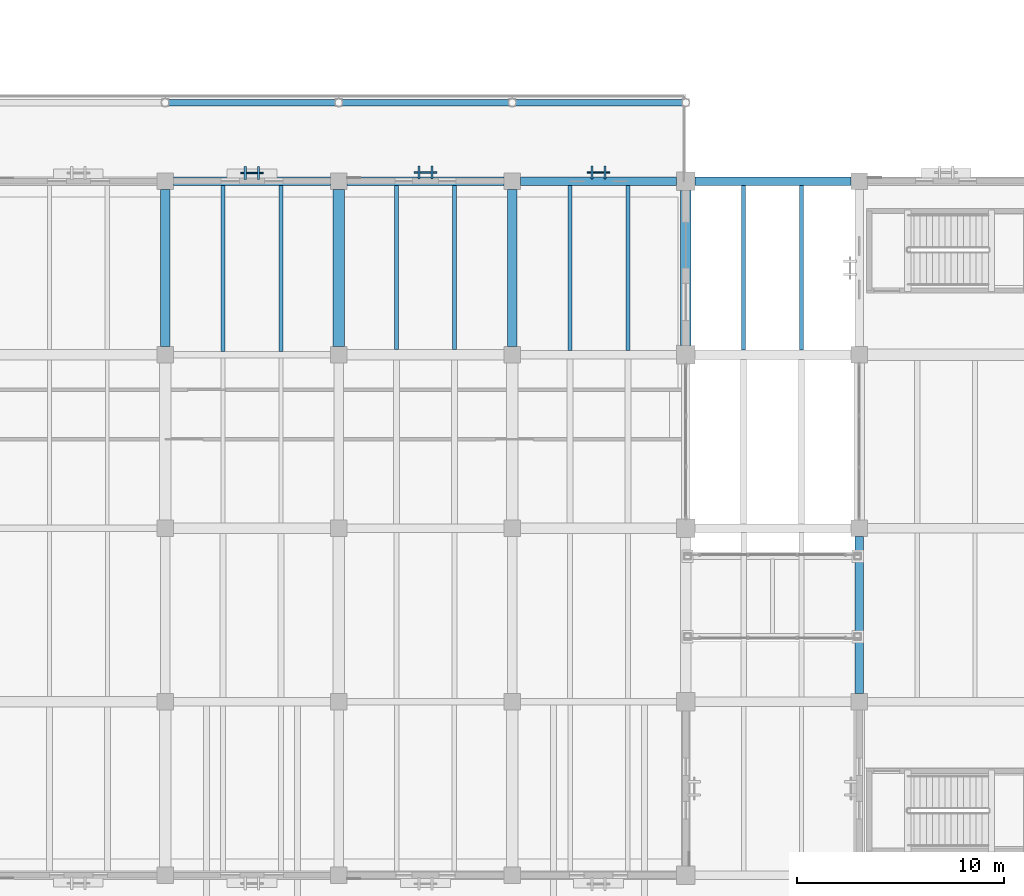
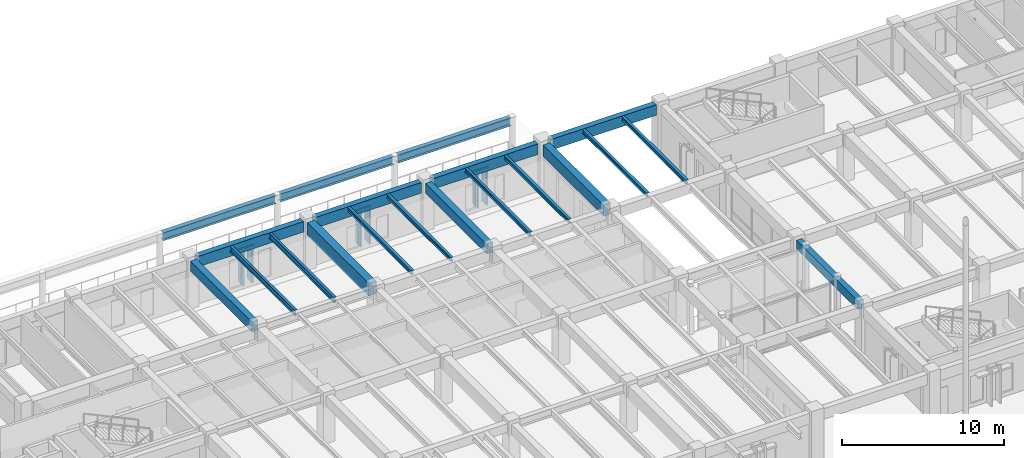
# One storey, part 48 of 135: 20 beams, 9 members, 3 elements without a shape of their own.
"""IFC4 building model written with IfcOpenShell, lengths in metres."""

from ifc_helpers import new_model, si_unit, direction, frame, origin, origin_2d, place, context, subcontext, project, spatial, rectangle, i_section, extrude, material, material_profile, profile_set, type_object, element, aggregate, save


model = new_model("IFC4")

# Units and contexts
model_context = context("Model", 3, precision=1e-05, world=origin(), true_north=direction((0.0, 1.0)))
body_context = subcontext(model_context, "Body", "Model", "MODEL_VIEW")
ifc_project = project(units=[si_unit("LENGTHUNIT", "METRE"), si_unit("AREAUNIT", "SQUARE_METRE"), si_unit("VOLUMEUNIT", "CUBIC_METRE"), si_unit("PLANEANGLEUNIT", "RADIAN"), si_unit("MASSUNIT", "GRAM", prefix="KILO")], contexts=[model_context])

# Site, building, storey
site_placement = place(None, origin())
site = spatial("IfcSite", under=ifc_project, at=site_placement, CompositionType="ELEMENT")
building_placement = place(site_placement, origin())
building = spatial("IfcBuilding", under=site, at=building_placement, Name="Cumbredor Promenade Congress Hotel", CompositionType="ELEMENT")
storey_placement = place(building_placement, origin())
storey = spatial("IfcBuildingStorey", under=building, at=storey_placement, Name="L00", CompositionType="ELEMENT", Elevation=0.0)

# Beams
ifc_material_1 = material(Name="Concrete C40/50", Category="concrete")
ifc_material_profile_1 = material_profile(ifc_material_1, rectangle(XDim=0.39990234375, YDim=0.64990234375, at=origin_2d()), Name="RC BEAM 400x650")
ifc_profile_set_1 = profile_set([ifc_material_profile_1], Name="Concrete C40/50")
beam_type_1 = type_object("IfcBeamType", Name="BM-RC-400x650", PredefinedType="BEAM", material=ifc_profile_set_1)
beam_1_placement = place(storey_placement, frame((92.39990234375, 92.800048828125, 3.31494140625), z_axis=(0.0, 1.0, 0.0), x_axis=(-1.0, 0.0, 0.0)))
element("IfcBeam", 1, at=beam_1_placement, inside=storey, type_object=beam_type_1, Name="L01 Y-Grid Beam 170", PredefinedType="BEAM", context=body_context, shape_type="SweptSolid", body=[
    extrude(rectangle(XDim=0.39990234375, YDim=0.64990234375, at=origin_2d()), origin(), (0.0, 0.0, 1.0), 7.599853515625),
])
ifc_material_profile_2 = material_profile(ifc_material_1, rectangle(XDim=0.449951171875, YDim=0.75, at=origin_2d()), Name="RC BEAM 450x750")
ifc_profile_set_2 = profile_set([ifc_material_profile_2], Name="Concrete C40/50")
beam_type_2 = type_object("IfcBeamType", Name="BM-RC-450x750", PredefinedType="BEAM", material=ifc_profile_set_2)
for number, where, z_axis, x_axis, name in (
    (2, (58.800048828125, 109.60009765625, 3.264892578125), (0.0, 1.0, 0.0), (-1.0, 0.0, 0.0), "L01 Y-Grid Beam 107"),
    (3, (75.60009765625, 109.60009765625, 3.264892578125), (0.0, 1.0, 0.0), (-1.0, 0.0, 0.0), "L01 Y-Grid Beam 147"),
):
    element("IfcBeam", number, at=place(storey_placement, frame(where, z_axis=z_axis, x_axis=x_axis)), inside=storey, type_object=beam_type_2, Name=name, PredefinedType="BEAM", context=body_context, shape_type="SweptSolid", body=[
        extrude(rectangle(XDim=0.449951171875, YDim=0.75, at=origin_2d()), origin(), (0.0, 0.0, 1.0), 7.599853515625),
    ])
ifc_material_profile_3 = material_profile(ifc_material_1, rectangle(XDim=0.5, YDim=0.85009765625, at=origin_2d()), Name="RC BEAM 500x850")
ifc_profile_set_3 = profile_set([ifc_material_profile_3], Name="Concrete C40/50")
beam_type_3 = type_object("IfcBeamType", Name="BM-RC-500x850", PredefinedType="BEAM", material=ifc_profile_set_3)
beam_2_placement = place(storey_placement, frame((84.0, 109.64990234375, 3.215087890625), z_axis=(0.0, 1.0, 0.0), x_axis=(-1.0, 0.0, 0.0)))
element("IfcBeam", 4, at=beam_2_placement, inside=storey, type_object=beam_type_3, Name="L01 Y-Grid Beam 160", PredefinedType="BEAM", context=body_context, shape_type="SweptSolid", body=[
    extrude(rectangle(XDim=0.5, YDim=0.85009765625, at=origin_2d()), origin(), (0.0, 0.0, 1.0), 7.5),
])
ifc_material_profile_4 = material_profile(ifc_material_1, rectangle(XDim=0.550048828125, YDim=0.949951171875, at=origin_2d()), Name="RC BEAM 550x950")
ifc_profile_set_4 = profile_set([ifc_material_profile_4], Name="Concrete C40/50")
beam_type_4 = type_object("IfcBeamType", Name="BM-RC-550x950", PredefinedType="BEAM", material=ifc_profile_set_4)
beam_3_placement = place(storey_placement, frame((67.199951171875, 109.60009765625, 3.1650390625), z_axis=(0.0, 1.0, 0.0), x_axis=(-1.0, 0.0, 0.0)))
element("IfcBeam", 5, at=beam_3_placement, inside=storey, type_object=beam_type_4, Name="L01 Y-Grid Beam 129", PredefinedType="BEAM", context=body_context, shape_type="SweptSolid", body=[
    extrude(rectangle(XDim=0.550048828125, YDim=0.949951171875, at=origin_2d()), origin(), (0.0, 0.0, 1.0), 7.599853515625),
])
ifc_material_2 = material(Name="Steel ASTM A992 Grade 50", Category="steel")
ifc_material_profile_5 = material_profile(ifc_material_2, i_section(OverallWidth=0.323974609375, OverallDepth=0.611083984375, WebThickness=0.0126953125, FlangeThickness=0.01904296875, at=origin_2d()), Name="W24X104")
ifc_profile_set_5 = profile_set([ifc_material_profile_5], Name="Steel ASTM A992 Grade 50")
beam_type_5 = type_object("IfcBeamType", Name="BM-W24X104", PredefinedType="BEAM", material=ifc_profile_set_5)
beam_4_placement = place(storey_placement, frame((58.9599609375, 121.39990234375, 2.8798828125), z_axis=(1.0, 0.0, 0.0), x_axis=(0.0, 1.0, 0.0)))
element("IfcBeam", 6, at=beam_4_placement, inside=storey, type_object=beam_type_5, Name="North Portico Edge Beam 08", PredefinedType="BEAM", context=body_context, shape_type="SweptSolid", body=[
    extrude(i_section(OverallWidth=0.323974609375, OverallDepth=0.611083984375, WebThickness=0.0126953125, FlangeThickness=0.01904296875, at=origin_2d()), origin(), (0.0, 0.0, 1.0), 8.080078125),
])
beam_5_placement = place(storey_placement, frame((67.360107421875, 121.39990234375, 2.8798828125), z_axis=(1.0, 0.0, 0.0), x_axis=(0.0, 1.0, 0.0)))
element("IfcBeam", 7, at=beam_5_placement, inside=storey, type_object=beam_type_5, Name="North Portico Edge Beam 09", PredefinedType="BEAM", context=body_context, shape_type="SweptSolid", body=[
    extrude(i_section(OverallWidth=0.323974609375, OverallDepth=0.611083984375, WebThickness=0.0126953125, FlangeThickness=0.01904296875, at=origin_2d()), origin(), (0.0, 0.0, 1.0), 8.079833984375),
])
beam_6_placement = place(storey_placement, frame((75.760009765625, 121.39990234375, 2.8798828125), z_axis=(1.0, 0.0, 0.0), x_axis=(0.0, 1.0, 0.0)))
element("IfcBeam", 8, at=beam_6_placement, inside=storey, type_object=beam_type_5, Name="North Portico Edge Beam 10", PredefinedType="BEAM", context=body_context, shape_type="SweptSolid", body=[
    extrude(i_section(OverallWidth=0.323974609375, OverallDepth=0.611083984375, WebThickness=0.0126953125, FlangeThickness=0.01904296875, at=origin_2d()), origin(), (0.0, 0.0, 1.0), 8.080078125),
])

# Curtain wall, member
ifc_material_3 = material(Name="Thermally broken anodized aluminium and low-E glass", Category="aluminium")
curtain_wall_type = type_object("IfcCurtainWallType", Name="Solar Brise-Soleil Screen Assembly CW-07", PredefinedType="NOTDEFINED", material=ifc_material_3)
curtain_wall_1_placement = place(storey_placement, origin())
curtain_wall_1 = element("IfcCurtainWall", 9, at=curtain_wall_1_placement, inside=storey, type_object=curtain_wall_type, Name="L00 Pier Brise-Soleil Screen 0124", PredefinedType="NOTDEFINED")
ifc_material_4 = material(Name="Thermally broken anodized aluminium", Category="aluminium")
ifc_material_profile_6 = material_profile(ifc_material_4, rectangle(XDim=0.06494140625, YDim=0.1298828125, at=origin_2d()), Name="ALU TRANSOM 65x130")
ifc_profile_set_6 = profile_set([ifc_material_profile_6], Name="Thermally broken anodized aluminium")
member_type_1 = type_object("IfcMemberType", Name="Curtain Wall Transom TR-01", PredefinedType="USERDEFINED", material=ifc_profile_set_6)
member_1_placement = place(storey_placement, frame((62.449951171875, 118.0, 2.6650390625), z_axis=(1.0, 0.0, 0.0), x_axis=(0.0, 1.0, 0.0)))
member_1 = element("IfcMember", 10, at=member_1_placement, type_object=member_type_1, Name="L00 Pier Brise-Soleil Header 0126", ObjectType="TRANSOM", PredefinedType="USERDEFINED", context=body_context, shape_type="SweptSolid", body=[
    extrude(rectangle(XDim=0.06494140625, YDim=0.1298828125, at=origin_2d()), origin(), (0.0, 0.0, 1.0), 1.10009765625),
])

curtain_wall_2_placement = place(storey_placement, origin())
curtain_wall_2 = element("IfcCurtainWall", 11, at=curtain_wall_2_placement, inside=storey, type_object=curtain_wall_type, Name="L00 Pier Brise-Soleil Screen 0127", PredefinedType="NOTDEFINED")
member_2_placement = place(storey_placement, frame((70.85009765625, 118.010009765625, 2.6650390625), z_axis=(1.0, 0.0, 0.0), x_axis=(0.0, 1.0, 0.0)))
member_2 = element("IfcMember", 12, at=member_2_placement, type_object=member_type_1, Name="L00 Pier Brise-Soleil Header 0129", ObjectType="TRANSOM", PredefinedType="USERDEFINED", context=body_context, shape_type="SweptSolid", body=[
    extrude(rectangle(XDim=0.06494140625, YDim=0.1298828125, at=origin_2d()), origin(), (0.0, 0.0, 1.0), 1.099853515625),
])

curtain_wall_3_placement = place(storey_placement, origin())
curtain_wall_3 = element("IfcCurtainWall", 13, at=curtain_wall_3_placement, inside=storey, type_object=curtain_wall_type, Name="L00 Pier Brise-Soleil Screen 0130", PredefinedType="NOTDEFINED")
member_3_placement = place(storey_placement, frame((79.22509765625, 118.0224609375, 2.6650390625), z_axis=(1.0, 0.0, 0.0), x_axis=(0.0, 1.0, 0.0)))
member_3 = element("IfcMember", 14, at=member_3_placement, type_object=member_type_1, Name="L00 Pier Brise-Soleil Header 0132", ObjectType="TRANSOM", PredefinedType="USERDEFINED", context=body_context, shape_type="SweptSolid", body=[
    extrude(rectangle(XDim=0.06494140625, YDim=0.1298828125, at=origin_2d()), origin(), (0.0, 0.0, 1.0), 1.099853515625),
])

# Beams
ifc_material_profile_7 = material_profile(ifc_material_2, i_section(OverallWidth=0.202880859375, OverallDepth=0.302978515625, WebThickness=0.007568359375, FlangeThickness=0.01318359375, at=origin_2d()), Name="W12X40")
ifc_profile_set_7 = profile_set([ifc_material_profile_7], Name="Steel ASTM A992 Grade 50")
beam_type_6 = type_object("IfcBeamType", Name="JST-W12X40", PredefinedType="JOIST", material=ifc_profile_set_7)
for number, where, z_axis, x_axis, name in (
    (15, (70.0, 109.449951171875, 3.488525390625), (0.0, 1.0, 0.0), (-1.0, 0.0, 0.0), "L01 Secondary Floor Joist 0078"),
    (16, (72.800048828125, 109.449951171875, 3.488525390625), (0.0, 1.0, 0.0), (-1.0, 0.0, 0.0), "L01 Secondary Floor Joist 0079"),
):
    element("IfcBeam", number, at=place(storey_placement, frame(where, z_axis=z_axis, x_axis=x_axis)), inside=storey, type_object=beam_type_6, Name=name, PredefinedType="JOIST", context=body_context, shape_type="SweptSolid", body=[
        extrude(i_section(OverallWidth=0.202880859375, OverallDepth=0.302978515625, WebThickness=0.007568359375, FlangeThickness=0.01318359375, at=origin_2d()), origin(), (0.0, 0.0, 1.0), 7.949951171875),
    ])
for number, where, z_axis, x_axis, name in (
    (17, (78.39990234375, 109.39990234375, 3.488525390625), (0.0, 1.0, 0.0), (-1.0, 0.0, 0.0), "L01 Secondary Floor Joist 0088"),
    (18, (81.199951171875, 109.39990234375, 3.488525390625), (0.0, 1.0, 0.0), (-1.0, 0.0, 0.0), "L01 Secondary Floor Joist 0089"),
):
    element("IfcBeam", number, at=place(storey_placement, frame(where, z_axis=z_axis, x_axis=x_axis)), inside=storey, type_object=beam_type_6, Name=name, PredefinedType="JOIST", context=body_context, shape_type="SweptSolid", body=[
        extrude(i_section(OverallWidth=0.202880859375, OverallDepth=0.302978515625, WebThickness=0.007568359375, FlangeThickness=0.01318359375, at=origin_2d()), origin(), (0.0, 0.0, 1.0), 8.0),
    ])
for number, where, z_axis, x_axis, name in (
    (19, (86.800048828125, 109.425048828125, 3.488525390625), (0.0, 1.0, 0.0), (-1.0, 0.0, 0.0), "L01 Secondary Floor Joist 0098"),
    (20, (89.60009765625, 109.425048828125, 3.488525390625), (0.0, 1.0, 0.0), (-1.0, 0.0, 0.0), "L01 Secondary Floor Joist 0099"),
):
    element("IfcBeam", number, at=place(storey_placement, frame(where, z_axis=z_axis, x_axis=x_axis)), inside=storey, type_object=beam_type_6, Name=name, PredefinedType="JOIST", context=body_context, shape_type="SweptSolid", body=[
        extrude(i_section(OverallWidth=0.202880859375, OverallDepth=0.302978515625, WebThickness=0.007568359375, FlangeThickness=0.01318359375, at=origin_2d()), origin(), (0.0, 0.0, 1.0), 7.974853515625),
    ])
ifc_material_profile_8 = material_profile(ifc_material_2, i_section(OverallWidth=0.180908203125, OverallDepth=0.4169921875, WebThickness=0.010986328125, FlangeThickness=0.018310546875, at=origin_2d()), Name="W16X57")
ifc_profile_set_8 = profile_set([ifc_material_profile_8], Name="Steel ASTM A992 Grade 50")
beam_type_7 = type_object("IfcBeamType", Name="JST-W16X57", PredefinedType="JOIST", material=ifc_profile_set_8)
for number, where, z_axis, x_axis, name in (
    (21, (61.60009765625, 109.362060546875, 3.431396484375), (0.0, 1.0, 0.0), (-1.0, 0.0, 0.0), "L01 Secondary Floor Joist 0060"),
    (22, (64.39990234375, 109.362060546875, 3.431396484375), (0.0, 1.0, 0.0), (-1.0, 0.0, 0.0), "L01 Secondary Floor Joist 0061"),
):
    element("IfcBeam", number, at=place(storey_placement, frame(where, z_axis=z_axis, x_axis=x_axis)), inside=storey, type_object=beam_type_7, Name=name, PredefinedType="JOIST", context=body_context, shape_type="SweptSolid", body=[
        extrude(i_section(OverallWidth=0.180908203125, OverallDepth=0.4169921875, WebThickness=0.010986328125, FlangeThickness=0.018310546875, at=origin_2d()), origin(), (0.0, 0.0, 1.0), 8.037841796875),
    ])
ifc_material_profile_9 = material_profile(ifc_material_1, rectangle(XDim=0.39990234375, YDim=0.800048828125, at=origin_2d()), Name="RC SPANDREL 400x800")
ifc_profile_set_9 = profile_set([ifc_material_profile_9], Name="Concrete C40/50")
beam_type_8 = type_object("IfcBeamType", Name="SP-RC-400x800", PredefinedType="SPANDREL", material=ifc_profile_set_9)
beam_7_placement = place(storey_placement, frame((59.199951171875, 117.60009765625, 3.239990234375), z_axis=(1.0, 0.0, 0.0), x_axis=(0.0, 1.0, 0.0)))
element("IfcBeam", 23, at=beam_7_placement, inside=storey, type_object=beam_type_8, Name="L01 X-Grid Beam 108", PredefinedType="SPANDREL", context=body_context, shape_type="SweptSolid", body=[
    extrude(rectangle(XDim=0.39990234375, YDim=0.800048828125, at=origin_2d()), origin(), (0.0, 0.0, 1.0), 7.60009765625),
])
beam_8_placement = place(storey_placement, frame((67.60009765625, 117.60009765625, 3.239990234375), z_axis=(1.0, 0.0, 0.0), x_axis=(0.0, 1.0, 0.0)))
element("IfcBeam", 24, at=beam_8_placement, inside=storey, type_object=beam_type_8, Name="L01 X-Grid Beam 130", PredefinedType="SPANDREL", context=body_context, shape_type="SweptSolid", body=[
    extrude(rectangle(XDim=0.39990234375, YDim=0.800048828125, at=origin_2d()), origin(), (0.0, 0.0, 1.0), 7.599853515625),
])
for number, where, z_axis, x_axis, name in (
    (25, (76.0, 117.60009765625, 3.239990234375), (1.0, 0.0, 0.0), (0.0, 1.0, 0.0), "L01 X-Grid Beam 148"),
    (26, (84.449951171875, 117.60009765625, 3.239990234375), (1.0, 0.0, 0.0), (0.0, 1.0, 0.0), "L01 X-Grid Beam 161"),
):
    element("IfcBeam", number, at=place(storey_placement, frame(where, z_axis=z_axis, x_axis=x_axis)), inside=storey, type_object=beam_type_8, Name=name, PredefinedType="SPANDREL", context=body_context, shape_type="SweptSolid", body=[
        extrude(rectangle(XDim=0.39990234375, YDim=0.800048828125, at=origin_2d()), origin(), (0.0, 0.0, 1.0), 7.550048828125),
    ])

# Member
ifc_material_profile_10 = material_profile(ifc_material_4, rectangle(XDim=0.110107421875, YDim=0.6201171875, at=origin_2d()), Name="ARCH FIN 110x620")
ifc_profile_set_10 = profile_set([ifc_material_profile_10], Name="Thermally broken anodized aluminium")
member_type_2 = type_object("IfcMemberType", Name="Vertical Bronze Brise-Soleil Fin BSF-02 110x620", PredefinedType="USERDEFINED", material=ifc_profile_set_10)
member_4_placement = place(storey_placement, frame((62.679931640625, 118.0, 0.02001953125), z_axis=(0.0, 0.0, 1.0), x_axis=(1.0, 0.0, 0.0)))
member_4 = element("IfcMember", 27, at=member_4_placement, type_object=member_type_2, Name="L00 Pier Brise-Soleil Fin 0125", ObjectType="SOLAR FIN", PredefinedType="USERDEFINED", context=body_context, shape_type="SweptSolid", body=[
    extrude(rectangle(XDim=0.110107421875, YDim=0.6201171875, at=origin_2d()), origin(), (0.0, 0.0, 1.0), 2.68505859375),
])

member_5_placement = place(storey_placement, frame((63.320068359375, 118.0, 0.02001953125), z_axis=(0.0, 0.0, 1.0), x_axis=(1.0, 0.0, 0.0)))
member_5 = element("IfcMember", 28, at=member_5_placement, type_object=member_type_2, Name="L00 Pier Brise-Soleil Fin 0126", ObjectType="SOLAR FIN", PredefinedType="USERDEFINED", context=body_context, shape_type="SweptSolid", body=[
    extrude(rectangle(XDim=0.110107421875, YDim=0.6201171875, at=origin_2d()), origin(), (0.0, 0.0, 1.0), 2.68505859375),
])

aggregate(curtain_wall_1, [member_4, member_5, member_1])

member_6_placement = place(storey_placement, frame((71.080078125, 118.010009765625, 0.02001953125), z_axis=(0.0, 0.0, 1.0), x_axis=(1.0, 0.0, 0.0)))
member_6 = element("IfcMember", 29, at=member_6_placement, type_object=member_type_2, Name="L00 Pier Brise-Soleil Fin 0128", ObjectType="SOLAR FIN", PredefinedType="USERDEFINED", context=body_context, shape_type="SweptSolid", body=[
    extrude(rectangle(XDim=0.110107421875, YDim=0.6201171875, at=origin_2d()), origin(), (0.0, 0.0, 1.0), 2.68505859375),
])

member_7_placement = place(storey_placement, frame((71.719970703125, 118.010009765625, 0.02001953125), z_axis=(0.0, 0.0, 1.0), x_axis=(1.0, 0.0, 0.0)))
member_7 = element("IfcMember", 30, at=member_7_placement, type_object=member_type_2, Name="L00 Pier Brise-Soleil Fin 0129", ObjectType="SOLAR FIN", PredefinedType="USERDEFINED", context=body_context, shape_type="SweptSolid", body=[
    extrude(rectangle(XDim=0.110107421875, YDim=0.6201171875, at=origin_2d()), origin(), (0.0, 0.0, 1.0), 2.68505859375),
])

aggregate(curtain_wall_2, [member_6, member_7, member_2])

member_8_placement = place(storey_placement, frame((79.455078125, 118.0224609375, 0.02001953125), z_axis=(0.0, 0.0, 1.0), x_axis=(1.0, 0.0, 0.0)))
member_8 = element("IfcMember", 31, at=member_8_placement, type_object=member_type_2, Name="L00 Pier Brise-Soleil Fin 0131", ObjectType="SOLAR FIN", PredefinedType="USERDEFINED", context=body_context, shape_type="SweptSolid", body=[
    extrude(rectangle(XDim=0.110107421875, YDim=0.6201171875, at=origin_2d()), origin(), (0.0, 0.0, 1.0), 2.68505859375),
])

member_9_placement = place(storey_placement, frame((80.094970703125, 118.0224609375, 0.02001953125), z_axis=(0.0, 0.0, 1.0), x_axis=(1.0, 0.0, 0.0)))
member_9 = element("IfcMember", 32, at=member_9_placement, type_object=member_type_2, Name="L00 Pier Brise-Soleil Fin 0132", ObjectType="SOLAR FIN", PredefinedType="USERDEFINED", context=body_context, shape_type="SweptSolid", body=[
    extrude(rectangle(XDim=0.110107421875, YDim=0.6201171875, at=origin_2d()), origin(), (0.0, 0.0, 1.0), 2.68505859375),
])

aggregate(curtain_wall_3, [member_8, member_9, member_3])

save(model, "model.ifc")
